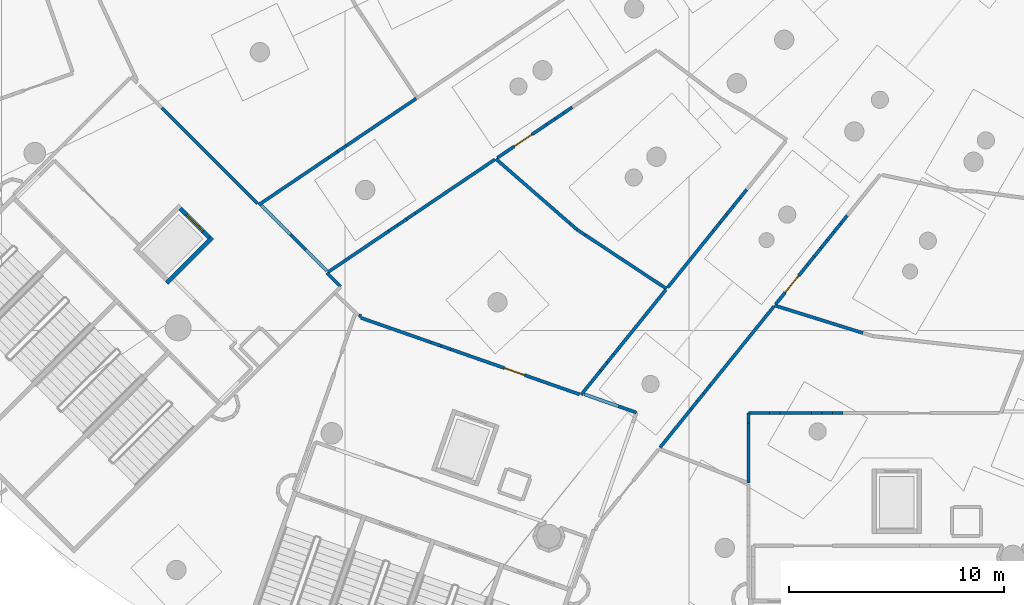
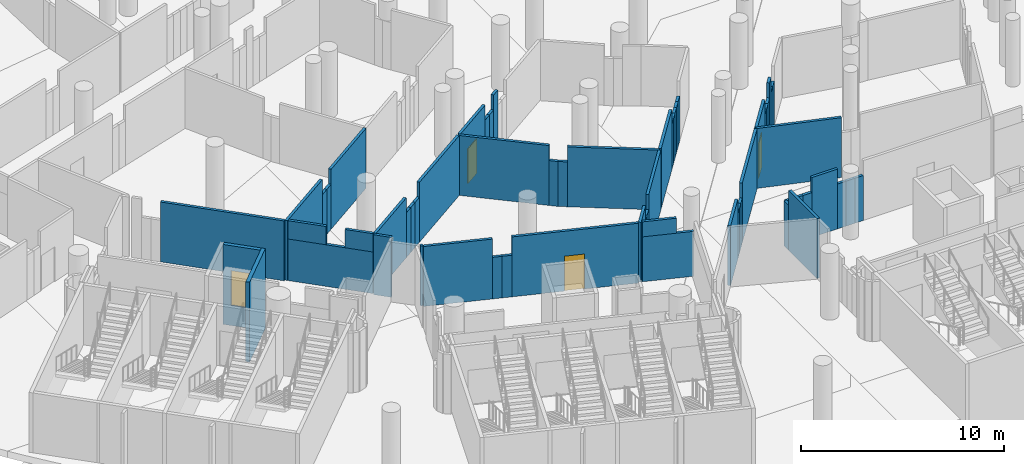
# One storey, part 41 of 142: 62 walls, 4 doors, 4 openings.
"""IFC4 building model written with IfcOpenShell, lengths in metres."""

from ifc_helpers import new_model, si_unit, direction, frame, frame_2d, origin, place, context, subcontext, project, spatial, rectangle, extrude, material, layer, layer_set, type_object, element, fill, save


model = new_model("IFC4")

# Units and contexts
model_context = context("Model", 3, precision=1e-05, world=origin(), true_north=direction((0.0, 1.0)))
body_context = subcontext(model_context, "Body", "Model", "MODEL_VIEW")
ifc_project = project(units=[si_unit("LENGTHUNIT", "METRE"), si_unit("AREAUNIT", "SQUARE_METRE"), si_unit("VOLUMEUNIT", "CUBIC_METRE"), si_unit("PLANEANGLEUNIT", "RADIAN"), si_unit("MASSUNIT", "GRAM", prefix="KILO")], contexts=[model_context])

# Site, building, storey
site_placement = place(None, origin())
site = spatial("IfcSite", under=ifc_project, at=site_placement, CompositionType="ELEMENT")
building_placement = place(site_placement, origin())
building = spatial("IfcBuilding", under=site, at=building_placement, Name="Meseta Stadium", CompositionType="ELEMENT")
storey_placement = place(building_placement, frame((0.0, 0.0, -4.0)))
storey = spatial("IfcBuildingStorey", under=building, at=storey_placement, Name="B1", CompositionType="ELEMENT", Elevation=-4.0)

# Wall
ifc_material_1 = material(Name="Concrete C40/50", Category="concrete")
ifc_layer_1 = layer(ifc_material_1, 0.199951171875)
ifc_layer_set_1 = layer_set([ifc_layer_1], Name="Core shaft wall 200")
wall_type_1 = type_object("IfcWallType", Name="Core shaft wall 200", PredefinedType="SHEAR", material=ifc_layer_set_1)
wall_1_placement = place(storey_placement, frame((-72.311767578125, -77.796875, -1.199951171875), z_axis=(0.0, 0.0, 1.0), x_axis=(0.707106781187, 0.707106781187, 0.0)))
element("IfcWall", 1, at=wall_1_placement, inside=storey, type_object=wall_type_1, Name="Core 21 B1 lift shaft wall right", PredefinedType="SHEAR", context=body_context, shape_type="SweptSolid", body=[
    extrude(rectangle(XDim=3.0, YDim=0.199951171875, at=frame_2d((1.5, 0.0))), origin(), (0.0, 0.0, 1.0), 4.800048828125),
])

# Wall, opening, door
wall_2_placement = place(storey_placement, frame((-71.675537109375, -74.331787109375, -1.199951171875), z_axis=(0.0, 0.0, 1.0), x_axis=(0.707106781187, -0.707106781187, 0.0)))
wall_2 = element("IfcWall", 2, at=wall_2_placement, inside=storey, type_object=wall_type_1, Name="Core 21 B1 lift shaft front wall", PredefinedType="SHEAR", context=body_context, shape_type="SweptSolid", body=[
    extrude(rectangle(XDim=1.900390625, YDim=0.199951171875, at=frame_2d((0.9501953125, 0.0))), origin(), (0.0, 0.0, 1.0), 4.800048828125),
])
opening_1_placement = place(wall_2_placement, frame((0.39990234375, 0.0, 1.199951171875)))
opening_1 = element("IfcOpeningElement", 3, at=opening_1_placement, cuts=wall_2, Name="Opening LD115", PredefinedType="OPENING", context=body_context, shape_type="SweptSolid", body=[
    extrude(rectangle(XDim=1.10009765625, YDim=2.10009765625, at=frame_2d((0.550048828125, 1.050048828125))), frame((0.0, 0.10986328125, 0.0), z_axis=(0.0, -1.0, 0.0), x_axis=(1.0, 0.0, 0.0)), (0.0, 0.0, 1.0), 0.219970703125),
])
ifc_material_2 = material(Name="Steel", Category="steel")
door_type_1 = type_object("IfcDoorType", Name="Lift landing door 1100x2100", OperationType="SLIDING_TO_LEFT", PredefinedType="DOOR", material=ifc_material_2)
door_1_placement = place(opening_1_placement, origin())
door_1 = element("IfcDoor", 4, at=door_1_placement, inside=storey, type_object=door_type_1, Name="Lift landing door LD115", OperationType="SLIDING_TO_LEFT", OverallHeight=2.10009765625, OverallWidth=1.10009765625, PredefinedType="DOOR", context=body_context, shape_type="SweptSolid", body=[
    extrude(rectangle(XDim=1.10009765625, YDim=2.10009765625, at=frame_2d((0.550048828125, 1.050048828125))), frame((0.0, 0.02490234375, 0.0), z_axis=(0.0, -1.0, 0.0), x_axis=(1.0, 0.0, 0.0)), (0.0, 0.0, 1.0), 0.050048828125),
])
fill(opening_1, door_1)

# Walls
ifc_material_3 = material(Name="Masonry blockwork", Category="masonry")
ifc_layer_2 = layer(ifc_material_3, 0.14990234375)
ifc_layer_set_2 = layer_set([ifc_layer_2], Name="Partition 150")
wall_type_2 = type_object("IfcWallType", Name="Partition 150", PredefinedType="PARTITIONING", material=ifc_layer_set_2)
wall_3_placement = place(storey_placement, frame((-60.6962890625, -69.21435546875, 0.0), z_axis=(0.0, 0.0, 1.0), x_axis=(-0.828825631308, -0.559506990919, 0.0)))
element("IfcWall", 5, at=wall_3_placement, inside=storey, type_object=wall_type_2, Name="Partition B1 B1-cell19-2-0", PredefinedType="PARTITIONING", context=body_context, shape_type="SweptSolid", body=[
    extrude(rectangle(XDim=3.9306640625, YDim=0.14990234375, at=frame_2d((1.96533203125, 0.0))), origin(), (0.0, 0.0, 1.0), 3.60009765625),
])
for number, where, z_axis, x_axis, name in (
    (6, (-63.9541015625, -71.41357421875, 0.0), (0.0, 0.0, 1.0), (-0.828825631308, -0.559506990919, 0.0), "Partition B1 B1-cell19-2-0"),
    (7, (-64.361328125, -71.6884765625, 0.0), (0.0, 0.0, 1.0), (-0.828825631308, -0.559506990919, 0.0), "Partition B1 B1-cell19-2-0"),
):
    element("IfcWall", number, at=place(storey_placement, frame(where, z_axis=z_axis, x_axis=x_axis)), inside=storey, type_object=wall_type_2, Name=name, PredefinedType="PARTITIONING", context=body_context, shape_type="SweptSolid", body=[
        extrude(rectangle(XDim=0.4912109375, YDim=0.14990234375, at=frame_2d((0.24560546875, 0.0))), origin(), (0.0, 0.0, 1.0), 2.699951171875),
    ])
wall_4_placement = place(storey_placement, frame((-64.7685546875, -71.96337890625, 0.0), z_axis=(0.0, 0.0, 1.0), x_axis=(-0.828825631308, -0.559506990919, 0.0)))
element("IfcWall", 8, at=wall_4_placement, inside=storey, type_object=wall_type_2, Name="Partition B1 B1-cell19-2-0", PredefinedType="PARTITIONING", context=body_context, shape_type="SweptSolid", body=[
    extrude(rectangle(XDim=3.9306640625, YDim=0.14990234375, at=frame_2d((1.96533203125, 0.0))), origin(), (0.0, 0.0, 1.0), 3.60009765625),
])
wall_5_placement = place(storey_placement, frame((-68.080322265625, -74.108642578125, 0.0), z_axis=(0.0, 0.0, 1.0), x_axis=(-0.70712613939, 0.707087422453, 0.0)))
element("IfcWall", 9, at=wall_5_placement, inside=storey, type_object=wall_type_2, Name="Partition B1 B1-cell19-2-0", PredefinedType="PARTITIONING", context=body_context, shape_type="SweptSolid", body=[
    extrude(rectangle(XDim=6.3056640625, YDim=0.14990234375, at=frame_2d((3.15283203125, 0.0))), origin(), (0.0, 0.0, 1.0), 3.60009765625),
])
wall_6_placement = place(storey_placement, frame((-49.044677734375, -78.07080078125, 0.0), z_axis=(0.0, 0.0, 1.0), x_axis=(-0.8339449215, 0.551847685421, 0.0)))
element("IfcWall", 10, at=wall_6_placement, inside=storey, type_object=wall_type_2, Name="Partition B1 B1-cell20-1-0", PredefinedType="PARTITIONING", context=body_context, shape_type="SweptSolid", body=[
    extrude(rectangle(XDim=4.5478515625, YDim=0.14990234375, at=frame_2d((2.27392578125, 0.0))), origin(), (0.0, 0.0, 1.0), 3.60009765625),
])
for number, where, z_axis, x_axis, name in (
    (11, (-52.83740234375, -75.56103515625, 0.0), (0.0, 0.0, 1.0), (-0.83402663405, 0.551724182627, 0.0), "Partition B1 B1-cell20-1-0"),
    (12, (-53.216796875, -75.31005859375, 0.0), (0.0, 0.0, 1.0), (-0.754004426254, 0.656869336466, 0.0), "Partition B1 B1-cell20-1-0"),
):
    element("IfcWall", number, at=place(storey_placement, frame(where, z_axis=z_axis, x_axis=x_axis)), inside=storey, type_object=wall_type_2, Name=name, PredefinedType="PARTITIONING", context=body_context, shape_type="SweptSolid", body=[
        extrude(rectangle(XDim=0.454833984375, YDim=0.14990234375, at=frame_2d((0.2275390625, 0.0))), origin(), (0.0, 0.0, 1.0), 2.699951171875),
    ])
wall_7_placement = place(storey_placement, frame((-53.559814453125, -75.01123046875, 0.0), z_axis=(0.0, 0.0, 1.0), x_axis=(-0.753891280965, 0.656999190627, 0.0)))
element("IfcWall", 13, at=wall_7_placement, inside=storey, type_object=wall_type_2, Name="Partition B1 B1-cell20-1-0", PredefinedType="PARTITIONING", context=body_context, shape_type="SweptSolid", body=[
    extrude(rectangle(XDim=4.550537109375, YDim=0.14990234375, at=frame_2d((2.275390625, 0.0))), origin(), (0.0, 0.0, 1.0), 3.60009765625),
])

# Wall, opening, door
wall_8_placement = place(storey_placement, frame((-56.92626953125, -71.97802734375, 0.0), z_axis=(0.0, 0.0, 1.0), x_axis=(0.828833397724, 0.559495485967, 0.0)))
wall_8 = element("IfcWall", 14, at=wall_8_placement, inside=storey, type_object=wall_type_2, Name="Partition B1 B1-cell20-1-0", PredefinedType="PARTITIONING", context=body_context, shape_type="SweptSolid", body=[
    extrude(rectangle(XDim=2.779052734375, YDim=0.14990234375, at=frame_2d((1.3896484375, 0.0))), origin(), (0.0, 0.0, 1.0), 3.60009765625),
])
opening_2_placement = place(wall_8_placement, frame((0.949951171875, 0.0, 0.0)))
opening_2 = element("IfcOpeningElement", 15, at=opening_2_placement, cuts=wall_8, Name="Opening D491", PredefinedType="OPENING", context=body_context, shape_type="SweptSolid", body=[
    extrude(rectangle(XDim=1.0, YDim=2.10009765625, at=frame_2d((0.5, 1.050048828125))), frame((0.0, 0.0849609375, 0.0), z_axis=(0.0, -1.0, 0.0), x_axis=(1.0, 0.0, 0.0)), (0.0, 0.0, 1.0), 0.169921875),
])
ifc_material_4 = material(Name="Steel", Category="steel")
door_type_2 = type_object("IfcDoorType", Name="Fire door 1000x2100 EI2 60", OperationType="NOTDEFINED", PredefinedType="DOOR", material=ifc_material_4)
door_2_placement = place(opening_2_placement, origin())
door_2 = element("IfcDoor", 16, at=door_2_placement, inside=storey, type_object=door_type_2, Name="Door D491", OperationType="SINGLE_SWING_LEFT", OverallHeight=2.10009765625, OverallWidth=1.0, PredefinedType="DOOR", context=body_context, shape_type="SweptSolid", body=[
    extrude(rectangle(XDim=1.0, YDim=2.10009765625, at=frame_2d((0.5, 1.050048828125))), frame((0.0, 0.02490234375, 0.0), z_axis=(0.0, -1.0, 0.0), x_axis=(1.0, 0.0, 0.0)), (0.0, 0.0, 1.0), 0.050048828125),
])
fill(opening_2, door_2)

# Walls
wall_9_placement = place(storey_placement, frame((-54.622802734375, -70.423095703125, 0.0), z_axis=(0.0, 0.0, 1.0), x_axis=(0.828801105453, 0.559543320575, 0.0)))
element("IfcWall", 17, at=wall_9_placement, inside=storey, type_object=wall_type_2, Name="Partition B1 B1-cell20-1-0", PredefinedType="PARTITIONING", context=body_context, shape_type="SweptSolid", body=[
    extrude(rectangle(XDim=0.47607421875, YDim=0.14990234375, at=frame_2d((0.238037109375, 0.0))), origin(), (0.0, 0.0, 1.0), 2.699951171875),
])
wall_10_placement = place(storey_placement, frame((-54.228271484375, -70.15673828125, 0.0), z_axis=(0.0, 0.0, 1.0), x_axis=(0.828961577554, 0.559305554182, 0.0)))
element("IfcWall", 18, at=wall_10_placement, inside=storey, type_object=wall_type_2, Name="Partition B1 B1-cell20-1-0", PredefinedType="PARTITIONING", context=body_context, shape_type="SweptSolid", body=[
    extrude(rectangle(XDim=0.476318359375, YDim=0.14990234375, at=frame_2d((0.23828125, 0.0))), origin(), (0.0, 0.0, 1.0), 2.699951171875),
])
wall_11_placement = place(storey_placement, frame((-53.83349609375, -69.890380859375, 0.0), z_axis=(0.0, 0.0, 1.0), x_axis=(0.828563254438, 0.559895466489, 0.0)))
element("IfcWall", 19, at=wall_11_placement, inside=storey, type_object=wall_type_2, Name="Partition B1 B1-cell20-1-0", PredefinedType="PARTITIONING", context=body_context, shape_type="SweptSolid", body=[
    extrude(rectangle(XDim=0.47607421875, YDim=0.14990234375, at=frame_2d((0.238037109375, 0.0))), origin(), (0.0, 0.0, 1.0), 3.60009765625),
])
for number, where, z_axis, x_axis, name in (
    (20, (-45.314208984375, -73.448486328125, 0.0), (0.0, 0.0, 1.0), (-0.627877771186, -0.778311958312, 0.0), "Partition B1 B1-cell20-1-0"),
    (21, (-45.625, -73.833740234375, 0.0), (0.0, 0.0, 1.0), (-0.627877771186, -0.778311958312, 0.0), "Partition B1 B1-cell20-1-0"),
    (22, (-45.935791015625, -74.218994140625, 0.0), (0.0, 0.0, 1.0), (-0.628417474303, -0.777876261362, 0.0), "Partition B1 B1-cell20-1-0"),
    (23, (-46.246826171875, -74.60400390625, 0.0), (0.0, 0.0, 1.0), (-0.627877771186, -0.778311958312, 0.0), "Partition B1 B1-cell20-1-0"),
):
    element("IfcWall", number, at=place(storey_placement, frame(where, z_axis=z_axis, x_axis=x_axis)), inside=storey, type_object=wall_type_2, Name=name, PredefinedType="PARTITIONING", context=body_context, shape_type="SweptSolid", body=[
        extrude(rectangle(XDim=0.494873046875, YDim=0.14990234375, at=frame_2d((0.24755859375, 0.0))), origin(), (0.0, 0.0, 1.0), 2.699951171875),
    ])
wall_12_placement = place(storey_placement, frame((-46.5576171875, -74.9892578125, 0.0), z_axis=(0.0, 0.0, 1.0), x_axis=(-0.628176414208, -0.778070943187, 0.0)))
element("IfcWall", 24, at=wall_12_placement, inside=storey, type_object=wall_type_2, Name="Partition B1 B1-cell20-1-0", PredefinedType="PARTITIONING", context=body_context, shape_type="SweptSolid", body=[
    extrude(rectangle(XDim=0.4951171875, YDim=0.14990234375, at=frame_2d((0.24755859375, 0.0))), origin(), (0.0, 0.0, 1.0), 2.699951171875),
])
wall_13_placement = place(storey_placement, frame((-46.86865234375, -75.37451171875, 0.0), z_axis=(0.0, 0.0, 1.0), x_axis=(-0.628018502996, -0.77819840651, 0.0)))
element("IfcWall", 25, at=wall_13_placement, inside=storey, type_object=wall_type_2, Name="Partition B1 B1-cell20-1-0", PredefinedType="PARTITIONING", context=body_context, shape_type="SweptSolid", body=[
    extrude(rectangle(XDim=3.389404296875, YDim=0.14990234375, at=frame_2d((1.69482421875, 0.0))), origin(), (0.0, 0.0, 1.0), 3.60009765625),
])
wall_14_placement = place(storey_placement, frame((-49.076416015625, -78.110107421875, 0.0), z_axis=(0.0, 0.0, 1.0), x_axis=(-0.62801256648, -0.778203197335, 0.0)))
element("IfcWall", 26, at=wall_14_placement, inside=storey, type_object=wall_type_2, Name="Partition B1 B1-cell20-2-0", PredefinedType="PARTITIONING", context=body_context, shape_type="SweptSolid", body=[
    extrude(rectangle(XDim=3.870361328125, YDim=0.14990234375, at=frame_2d((1.93505859375, 0.0))), origin(), (0.0, 0.0, 1.0), 3.60009765625),
])
wall_15_placement = place(storey_placement, frame((-51.507080078125, -81.1220703125, 0.0), z_axis=(0.0, 0.0, 1.0), x_axis=(-0.628196159022, -0.778055001777, 0.0)))
element("IfcWall", 27, at=wall_15_placement, inside=storey, type_object=wall_type_2, Name="Partition B1 B1-cell20-2-0", PredefinedType="PARTITIONING", context=body_context, shape_type="SweptSolid", body=[
    extrude(rectangle(XDim=0.48388671875, YDim=0.14990234375, at=frame_2d((0.241943359375, 0.0))), origin(), (0.0, 0.0, 1.0), 2.699951171875),
])
wall_16_placement = place(storey_placement, frame((-51.81103515625, -81.49853515625, 0.0), z_axis=(0.0, 0.0, 1.0), x_axis=(-0.627949602463, -0.778254005301, 0.0)))
element("IfcWall", 28, at=wall_16_placement, inside=storey, type_object=wall_type_2, Name="Partition B1 B1-cell20-2-0", PredefinedType="PARTITIONING", context=body_context, shape_type="SweptSolid", body=[
    extrude(rectangle(XDim=0.484130859375, YDim=0.14990234375, at=frame_2d((0.2421875, 0.0))), origin(), (0.0, 0.0, 1.0), 2.699951171875),
])
wall_17_placement = place(storey_placement, frame((-52.114990234375, -81.875244140625, 0.0), z_axis=(0.0, 0.0, 1.0), x_axis=(-0.628094324718, -0.778137211073, 0.0)))
element("IfcWall", 29, at=wall_17_placement, inside=storey, type_object=wall_type_2, Name="Partition B1 B1-cell20-2-0", PredefinedType="PARTITIONING", context=body_context, shape_type="SweptSolid", body=[
    extrude(rectangle(XDim=1.451416015625, YDim=0.14990234375, at=frame_2d((0.7255859375, 0.0))), origin(), (0.0, 0.0, 1.0), 3.60009765625),
])

# Wall, opening, door
wall_18_placement = place(storey_placement, frame((-53.101806640625, -82.978515625, 0.0), z_axis=(0.0, 0.0, 1.0), x_axis=(-0.943872187269, 0.33031090521, 0.0)))
wall_18 = element("IfcWall", 30, at=wall_18_placement, inside=storey, type_object=wall_type_2, Name="Partition B1 B1-cell20-2-0", PredefinedType="PARTITIONING", context=body_context, shape_type="SweptSolid", body=[
    extrude(rectangle(XDim=6.3291015625, YDim=0.14990234375, at=frame_2d((3.16455078125, 0.0))), origin(), (0.0, 0.0, 1.0), 3.60009765625),
])
opening_3_placement = place(wall_18_placement, frame((2.699951171875, 0.0, 0.0)))
opening_3 = element("IfcOpeningElement", 31, at=opening_3_placement, cuts=wall_18, Name="Opening D492", PredefinedType="OPENING", context=body_context, shape_type="SweptSolid", body=[
    extrude(rectangle(XDim=1.0, YDim=2.10009765625, at=frame_2d((0.5, 1.050048828125))), frame((0.0, 0.0849609375, 0.0), z_axis=(0.0, -1.0, 0.0), x_axis=(1.0, 0.0, 0.0)), (0.0, 0.0, 1.0), 0.169921875),
])
ifc_material_5 = material(Name="Steel", Category="steel")
door_type_3 = type_object("IfcDoorType", Name="Fire door 1000x2100 EI2 120", OperationType="NOTDEFINED", PredefinedType="DOOR", material=ifc_material_5)
door_3_placement = place(opening_3_placement, origin())
door_3 = element("IfcDoor", 32, at=door_3_placement, inside=storey, type_object=door_type_3, Name="Door D492", OperationType="SINGLE_SWING_LEFT", OverallHeight=2.10009765625, OverallWidth=1.0, PredefinedType="DOOR", context=body_context, shape_type="SweptSolid", body=[
    extrude(rectangle(XDim=1.0, YDim=2.10009765625, at=frame_2d((0.5, 1.050048828125))), frame((0.0, 0.02490234375, 0.0), z_axis=(0.0, -1.0, 0.0), x_axis=(1.0, 0.0, 0.0)), (0.0, 0.0, 1.0), 0.050048828125),
])
fill(opening_3, door_3)

# Walls
for number, where, z_axis, x_axis, name in (
    (33, (-59.07568359375, -80.887939453125, 0.0), (0.0, 0.0, 1.0), (-0.943873796239, 0.330306307498, 0.0), "Partition B1 B1-cell20-2-0"),
    (34, (-59.541015625, -80.72509765625, 0.0), (0.0, 0.0, 1.0), (-0.944028109285, 0.329865016151, 0.0), "Partition B1 B1-cell20-2-0"),
):
    element("IfcWall", number, at=place(storey_placement, frame(where, z_axis=z_axis, x_axis=x_axis)), inside=storey, type_object=wall_type_2, Name=name, PredefinedType="PARTITIONING", context=body_context, shape_type="SweptSolid", body=[
        extrude(rectangle(XDim=0.492919921875, YDim=0.14990234375, at=frame_2d((0.24658203125, 0.0))), origin(), (0.0, 0.0, 1.0), 2.5),
    ])
wall_19_placement = place(storey_placement, frame((-60.00634765625, -80.5625, 0.0), z_axis=(0.0, 0.0, 1.0), x_axis=(-0.943866077076, 0.33032836473, 0.0)))
element("IfcWall", 35, at=wall_19_placement, inside=storey, type_object=wall_type_2, Name="Partition B1 B1-cell20-2-0", PredefinedType="PARTITIONING", context=body_context, shape_type="SweptSolid", body=[
    extrude(rectangle(XDim=3.45068359375, YDim=0.14990234375, at=frame_2d((1.725341796875, 0.0))), origin(), (0.0, 0.0, 1.0), 3.60009765625),
])
wall_20_placement = place(storey_placement, frame((-64.215576171875, -77.973388671875, 0.0), z_axis=(0.0, 0.0, 1.0), x_axis=(-0.707106781187, 0.707106781187, 0.0)))
element("IfcWall", 36, at=wall_20_placement, inside=storey, type_object=wall_type_2, Name="Partition B1 B1-cell20-2-0", PredefinedType="PARTITIONING", context=body_context, shape_type="SweptSolid", body=[
    extrude(rectangle(XDim=0.907470703125, YDim=0.14990234375, at=frame_2d((0.45361328125, 0.0))), origin(), (0.0, 0.0, 1.0), 3.60009765625),
])
wall_21_placement = place(storey_placement, frame((-64.793701171875, -77.2890625, 0.0), z_axis=(0.0, 0.0, 1.0), x_axis=(0.828834529993, 0.559493808626, 0.0)))
element("IfcWall", 37, at=wall_21_placement, inside=storey, type_object=wall_type_2, Name="Partition B1 B1-cell20-2-0", PredefinedType="PARTITIONING", context=body_context, shape_type="SweptSolid", body=[
    extrude(rectangle(XDim=3.40185546875, YDim=0.14990234375, at=frame_2d((1.700927734375, 0.0))), origin(), (0.0, 0.0, 1.0), 3.60009765625),
])
wall_22_placement = place(storey_placement, frame((-61.97412109375, -75.3857421875, 0.0), z_axis=(0.0, 0.0, 1.0), x_axis=(0.828632099968, 0.559793571687, 0.0)))
element("IfcWall", 38, at=wall_22_placement, inside=storey, type_object=wall_type_2, Name="Partition B1 B1-cell20-2-0", PredefinedType="PARTITIONING", context=body_context, shape_type="SweptSolid", body=[
    extrude(rectangle(XDim=0.496826171875, YDim=0.14990234375, at=frame_2d((0.24853515625, 0.0))), origin(), (0.0, 0.0, 1.0), 2.699951171875),
])
wall_23_placement = place(storey_placement, frame((-61.5625, -75.107666015625, 0.0), z_axis=(0.0, 0.0, 1.0), x_axis=(0.828939751849, 0.559337901277, 0.0)))
element("IfcWall", 39, at=wall_23_placement, inside=storey, type_object=wall_type_2, Name="Partition B1 B1-cell20-2-0", PredefinedType="PARTITIONING", context=body_context, shape_type="SweptSolid", body=[
    extrude(rectangle(XDim=0.4970703125, YDim=0.14990234375, at=frame_2d((0.24853515625, 0.0))), origin(), (0.0, 0.0, 1.0), 2.699951171875),
])
wall_24_placement = place(storey_placement, frame((-61.150390625, -74.82958984375, 0.0), z_axis=(0.0, 0.0, 1.0), x_axis=(0.828632099968, 0.559793571687, 0.0)))
element("IfcWall", 40, at=wall_24_placement, inside=storey, type_object=wall_type_2, Name="Partition B1 B1-cell20-2-0", PredefinedType="PARTITIONING", context=body_context, shape_type="SweptSolid", body=[
    extrude(rectangle(XDim=0.496826171875, YDim=0.14990234375, at=frame_2d((0.24853515625, 0.0))), origin(), (0.0, 0.0, 1.0), 2.699951171875),
])
wall_25_placement = place(storey_placement, frame((-60.73876953125, -74.551513671875, 0.0), z_axis=(0.0, 0.0, 1.0), x_axis=(0.8288366496, 0.559490668626, 0.0)))
element("IfcWall", 41, at=wall_25_placement, inside=storey, type_object=wall_type_2, Name="Partition B1 B1-cell20-2-0", PredefinedType="PARTITIONING", context=body_context, shape_type="SweptSolid", body=[
    extrude(rectangle(XDim=4.47216796875, YDim=0.14990234375, at=frame_2d((2.236083984375, 0.0))), origin(), (0.0, 0.0, 1.0), 3.60009765625),
])
wall_26_placement = place(storey_placement, frame((-39.906982421875, -80.12744140625, 0.0), z_axis=(0.0, 0.0, 1.0), x_axis=(-0.954509247754, 0.29818131389, 0.0)))
element("IfcWall", 42, at=wall_26_placement, inside=storey, type_object=wall_type_2, Name="Partition B1 B1-cell21-1-0", PredefinedType="PARTITIONING", context=body_context, shape_type="SweptSolid", body=[
    extrude(rectangle(XDim=4.303466796875, YDim=0.14990234375, at=frame_2d((2.15185546875, 0.0))), origin(), (0.0, 0.0, 1.0), 3.60009765625),
])

# Wall, opening, door
wall_27_placement = place(storey_placement, frame((-43.964111328125, -78.781494140625, 0.0), z_axis=(0.0, 0.0, 1.0), x_axis=(0.628039015817, 0.77818185189, 0.0)))
wall_27 = element("IfcWall", 43, at=wall_27_placement, inside=storey, type_object=wall_type_2, Name="Partition B1 B1-cell21-1-0", PredefinedType="PARTITIONING", context=body_context, shape_type="SweptSolid", body=[
    extrude(rectangle(XDim=2.3642578125, YDim=0.14990234375, at=frame_2d((1.18212890625, 0.0))), origin(), (0.0, 0.0, 1.0), 3.60009765625),
])
opening_4_placement = place(wall_27_placement, frame((0.699951171875, 0.0, 0.0)))
opening_4 = element("IfcOpeningElement", 44, at=opening_4_placement, cuts=wall_27, Name="Opening D494", PredefinedType="OPENING", context=body_context, shape_type="SweptSolid", body=[
    extrude(rectangle(XDim=1.0, YDim=2.10009765625, at=frame_2d((0.5, 1.050048828125))), frame((0.0, 0.0849609375, 0.0), z_axis=(0.0, -1.0, 0.0), x_axis=(1.0, 0.0, 0.0)), (0.0, 0.0, 1.0), 0.169921875),
])
door_4_placement = place(opening_4_placement, origin())
door_4 = element("IfcDoor", 45, at=door_4_placement, inside=storey, type_object=door_type_2, Name="Door D494", OperationType="SINGLE_SWING_RIGHT", OverallHeight=2.10009765625, OverallWidth=1.0, PredefinedType="DOOR", context=body_context, shape_type="SweptSolid", body=[
    extrude(rectangle(XDim=1.0, YDim=2.10009765625, at=frame_2d((0.5, 1.050048828125))), frame((0.0, 0.02490234375, 0.0), z_axis=(0.0, -1.0, 0.0), x_axis=(1.0, 0.0, 0.0)), (0.0, 0.0, 1.0), 0.050048828125),
])
fill(opening_4, door_4)

# Walls
wall_28_placement = place(storey_placement, frame((-42.479248046875, -76.941650390625, 0.0), z_axis=(0.0, 0.0, 1.0), x_axis=(0.628220861068, 0.778035056871, 0.0)))
element("IfcWall", 46, at=wall_28_placement, inside=storey, type_object=wall_type_2, Name="Partition B1 B1-cell21-1-0", PredefinedType="PARTITIONING", context=body_context, shape_type="SweptSolid", body=[
    extrude(rectangle(XDim=0.48876953125, YDim=0.14990234375, at=frame_2d((0.244384765625, 0.0))), origin(), (0.0, 0.0, 1.0), 2.699951171875),
])
wall_29_placement = place(storey_placement, frame((-42.172119140625, -76.561279296875, 0.0), z_axis=(0.0, 0.0, 1.0), x_axis=(0.627976838784, 0.77823202835, 0.0)))
element("IfcWall", 47, at=wall_29_placement, inside=storey, type_object=wall_type_2, Name="Partition B1 B1-cell21-1-0", PredefinedType="PARTITIONING", context=body_context, shape_type="SweptSolid", body=[
    extrude(rectangle(XDim=0.489013671875, YDim=0.14990234375, at=frame_2d((0.24462890625, 0.0))), origin(), (0.0, 0.0, 1.0), 2.699951171875),
])
wall_30_placement = place(storey_placement, frame((-41.864990234375, -76.1806640625, 0.0), z_axis=(0.0, 0.0, 1.0), x_axis=(0.628220861068, 0.778035056871, 0.0)))
element("IfcWall", 48, at=wall_30_placement, inside=storey, type_object=wall_type_2, Name="Partition B1 B1-cell21-1-0", PredefinedType="PARTITIONING", context=body_context, shape_type="SweptSolid", body=[
    extrude(rectangle(XDim=0.48876953125, YDim=0.14990234375, at=frame_2d((0.244384765625, 0.0))), origin(), (0.0, 0.0, 1.0), 2.699951171875),
])
wall_31_placement = place(storey_placement, frame((-41.557861328125, -75.80029296875, 0.0), z_axis=(0.0, 0.0, 1.0), x_axis=(0.627976838784, 0.77823202835, 0.0)))
element("IfcWall", 49, at=wall_31_placement, inside=storey, type_object=wall_type_2, Name="Partition B1 B1-cell21-1-0", PredefinedType="PARTITIONING", context=body_context, shape_type="SweptSolid", body=[
    extrude(rectangle(XDim=0.489013671875, YDim=0.14990234375, at=frame_2d((0.24462890625, 0.0))), origin(), (0.0, 0.0, 1.0), 3.60009765625),
])
wall_32_placement = place(storey_placement, frame((-41.250732421875, -75.419677734375, 0.0), z_axis=(0.0, 0.0, 1.0), x_axis=(0.627918424416, 0.778279160892, 0.0)))
element("IfcWall", 50, at=wall_32_placement, inside=storey, type_object=wall_type_2, Name="Partition B1 B1-cell21-1-0", PredefinedType="PARTITIONING", context=body_context, shape_type="SweptSolid", body=[
    extrude(rectangle(XDim=0.48876953125, YDim=0.14990234375, at=frame_2d((0.244384765625, 0.0))), origin(), (0.0, 0.0, 1.0), 2.699951171875),
])
wall_33_placement = place(storey_placement, frame((-40.94384765625, -75.039306640625, 0.0), z_axis=(0.0, 0.0, 1.0), x_axis=(0.627976838784, 0.77823202835, 0.0)))
element("IfcWall", 51, at=wall_33_placement, inside=storey, type_object=wall_type_2, Name="Partition B1 B1-cell21-1-0", PredefinedType="PARTITIONING", context=body_context, shape_type="SweptSolid", body=[
    extrude(rectangle(XDim=0.489013671875, YDim=0.14990234375, at=frame_2d((0.24462890625, 0.0))), origin(), (0.0, 0.0, 1.0), 2.699951171875),
])
wall_34_placement = place(storey_placement, frame((-40.832763671875, -83.85107421875, 0.0), z_axis=(0.0, 0.0, 1.0), x_axis=(-1.0, 0.0, 0.0)))
element("IfcWall", 52, at=wall_34_placement, inside=storey, type_object=wall_type_2, Name="Partition B1 B1-cell21-2-0", PredefinedType="PARTITIONING", context=body_context, shape_type="SweptSolid", body=[
    extrude(rectangle(XDim=0.48876953125, YDim=0.14990234375, at=frame_2d((0.244384765625, 0.0))), origin(), (0.0, 0.0, 1.0), 2.699951171875),
])
for number, where, z_axis, x_axis, name in (
    (53, (-41.321533203125, -83.85107421875, 0.0), (0.0, 0.0, 1.0), (-1.0, 0.0, 0.0), "Partition B1 B1-cell21-2-0"),
    (54, (-41.810546875, -83.85107421875, 0.0), (0.0, 0.0, 1.0), (-1.0, 0.0, 0.0), "Partition B1 B1-cell21-2-0"),
):
    element("IfcWall", number, at=place(storey_placement, frame(where, z_axis=z_axis, x_axis=x_axis)), inside=storey, type_object=wall_type_2, Name=name, PredefinedType="PARTITIONING", context=body_context, shape_type="SweptSolid", body=[
        extrude(rectangle(XDim=0.489013671875, YDim=0.14990234375, at=frame_2d((0.24462890625, 0.0))), origin(), (0.0, 0.0, 1.0), 2.699951171875),
    ])
wall_35_placement = place(storey_placement, frame((-42.299560546875, -83.85107421875, 0.0), z_axis=(0.0, 0.0, 1.0), x_axis=(-1.0, 0.0, 0.0)))
element("IfcWall", 55, at=wall_35_placement, inside=storey, type_object=wall_type_2, Name="Partition B1 B1-cell21-2-0", PredefinedType="PARTITIONING", context=body_context, shape_type="SweptSolid", body=[
    extrude(rectangle(XDim=1.467041015625, YDim=0.14990234375, at=frame_2d((0.7333984375, 0.0))), origin(), (0.0, 0.0, 1.0), 3.60009765625),
])
wall_36_placement = place(storey_placement, frame((-43.7666015625, -83.85107421875, 0.0), z_axis=(0.0, 0.0, 1.0), x_axis=(-1.0, 0.0, 0.0)))
element("IfcWall", 56, at=wall_36_placement, inside=storey, type_object=wall_type_2, Name="Partition B1 B1-cell21-2-0", PredefinedType="PARTITIONING", context=body_context, shape_type="SweptSolid", body=[
    extrude(rectangle(XDim=0.48876953125, YDim=0.14990234375, at=frame_2d((0.244384765625, 0.0))), origin(), (0.0, 0.0, 1.0), 2.699951171875),
])
wall_37_placement = place(storey_placement, frame((-44.25537109375, -83.85107421875, 0.0), z_axis=(0.0, 0.0, 1.0), x_axis=(-1.0, 0.0, 0.0)))
element("IfcWall", 57, at=wall_37_placement, inside=storey, type_object=wall_type_2, Name="Partition B1 B1-cell21-2-0", PredefinedType="PARTITIONING", context=body_context, shape_type="SweptSolid", body=[
    extrude(rectangle(XDim=0.97802734375, YDim=0.14990234375, at=frame_2d((0.489013671875, 0.0))), origin(), (0.0, 0.0, 1.0), 2.699951171875),
])
wall_38_placement = place(storey_placement, frame((-45.2333984375, -83.85107421875, 0.0), z_axis=(0.0, 0.0, 1.0), x_axis=(0.0, -1.0, 0.0)))
element("IfcWall", 58, at=wall_38_placement, inside=storey, type_object=wall_type_2, Name="Partition B1 B1-cell21-2-0", PredefinedType="PARTITIONING", context=body_context, shape_type="SweptSolid", body=[
    extrude(rectangle(XDim=0.466064453125, YDim=0.14990234375, at=frame_2d((0.23291015625, 0.0))), origin(), (0.0, 0.0, 1.0), 2.699951171875),
])
wall_39_placement = place(storey_placement, frame((-45.2333984375, -84.317138671875, 0.0), z_axis=(0.0, 0.0, 1.0), x_axis=(0.0, -1.0, 0.0)))
element("IfcWall", 59, at=wall_39_placement, inside=storey, type_object=wall_type_2, Name="Partition B1 B1-cell21-2-0", PredefinedType="PARTITIONING", context=body_context, shape_type="SweptSolid", body=[
    extrude(rectangle(XDim=2.796875, YDim=0.14990234375, at=frame_2d((1.3984375, 0.0))), origin(), (0.0, 0.0, 1.0), 3.60009765625),
])
wall_40_placement = place(storey_placement, frame((-49.3466796875, -85.451416015625, 0.0), z_axis=(0.0, 0.0, 1.0), x_axis=(0.627969375808, 0.778238050372, 0.0)))
element("IfcWall", 60, at=wall_40_placement, inside=storey, type_object=wall_type_2, Name="Partition B1 B1-cell21-2-0", PredefinedType="PARTITIONING", context=body_context, shape_type="SweptSolid", body=[
    extrude(rectangle(XDim=2.28759765625, YDim=0.14990234375, at=frame_2d((1.143798828125, 0.0))), origin(), (0.0, 0.0, 1.0), 3.60009765625),
])
wall_41_placement = place(storey_placement, frame((-47.91015625, -83.671142578125, 0.0), z_axis=(0.0, 0.0, 1.0), x_axis=(0.628085010229, 0.778144729421, 0.0)))
element("IfcWall", 61, at=wall_41_placement, inside=storey, type_object=wall_type_2, Name="Partition B1 B1-cell21-2-0", PredefinedType="PARTITIONING", context=body_context, shape_type="SweptSolid", body=[
    extrude(rectangle(XDim=0.473388671875, YDim=0.14990234375, at=frame_2d((0.23681640625, 0.0))), origin(), (0.0, 0.0, 1.0), 2.699951171875),
])
wall_42_placement = place(storey_placement, frame((-47.61279296875, -83.302734375, 0.0), z_axis=(0.0, 0.0, 1.0), x_axis=(0.628024750904, 0.778193364308, 0.0)))
element("IfcWall", 62, at=wall_42_placement, inside=storey, type_object=wall_type_2, Name="Partition B1 B1-cell21-2-0", PredefinedType="PARTITIONING", context=body_context, shape_type="SweptSolid", body=[
    extrude(rectangle(XDim=0.47314453125, YDim=0.14990234375, at=frame_2d((0.236572265625, 0.0))), origin(), (0.0, 0.0, 1.0), 2.699951171875),
])
wall_43_placement = place(storey_placement, frame((-47.315673828125, -82.9345703125, 0.0), z_axis=(0.0, 0.0, 1.0), x_axis=(0.628085010229, 0.778144729421, 0.0)))
element("IfcWall", 63, at=wall_43_placement, inside=storey, type_object=wall_type_2, Name="Partition B1 B1-cell21-2-0", PredefinedType="PARTITIONING", context=body_context, shape_type="SweptSolid", body=[
    extrude(rectangle(XDim=0.473388671875, YDim=0.14990234375, at=frame_2d((0.23681640625, 0.0))), origin(), (0.0, 0.0, 1.0), 2.699951171875),
])
wall_44_placement = place(storey_placement, frame((-47.018310546875, -82.566162109375, 0.0), z_axis=(0.0, 0.0, 1.0), x_axis=(0.628029681061, 0.778189385501, 0.0)))
element("IfcWall", 64, at=wall_44_placement, inside=storey, type_object=wall_type_2, Name="Partition B1 B1-cell21-2-0", PredefinedType="PARTITIONING", context=body_context, shape_type="SweptSolid", body=[
    extrude(rectangle(XDim=4.73291015625, YDim=0.14990234375, at=frame_2d((2.366455078125, 0.0))), origin(), (0.0, 0.0, 1.0), 3.60009765625),
])
wall_45_placement = place(storey_placement, frame((-64.8466796875, -77.236328125, 0.0), z_axis=(0.0, 0.0, 1.0), x_axis=(-0.707106781187, 0.707106781187, 0.0)))
element("IfcWall", 65, at=wall_45_placement, inside=storey, type_object=wall_type_2, Name="Stair vestibule wall B1 core 21", PredefinedType="PARTITIONING", context=body_context, shape_type="SweptSolid", body=[
    extrude(rectangle(XDim=4.3154296875, YDim=0.14990234375, at=frame_2d((2.15771484375, 0.0))), origin(), (0.0, 0.0, 1.0), 2.5),
])
wall_46_placement = place(storey_placement, frame((-64.8466796875, -77.236328125, 2.5), z_axis=(0.0, 0.0, 1.0), x_axis=(-0.707106781187, 0.707106781187, 0.0)))
element("IfcWall", 66, at=wall_46_placement, inside=storey, type_object=wall_type_2, Name="Stair vestibule wall B1 core 21", PredefinedType="PARTITIONING", context=body_context, shape_type="SweptSolid", body=[
    extrude(rectangle(XDim=1.411376953125, YDim=0.14990234375, at=frame_2d((0.70556640625, 0.0))), origin(), (0.0, 0.0, 1.0), 1.10009765625),
])
wall_47_placement = place(storey_placement, frame((-66.53369140625, -75.54931640625, 2.5), z_axis=(0.0, 0.0, 1.0), x_axis=(-0.707106781187, 0.707106781187, 0.0)))
element("IfcWall", 67, at=wall_47_placement, inside=storey, type_object=wall_type_2, Name="Stair vestibule wall B1 core 21", PredefinedType="PARTITIONING", context=body_context, shape_type="SweptSolid", body=[
    extrude(rectangle(XDim=1.9296875, YDim=0.14990234375, at=frame_2d((0.96484375, 0.0))), origin(), (0.0, 0.0, 1.0), 1.10009765625),
])
wall_48_placement = place(storey_placement, frame((-50.447021484375, -83.827880859375, 0.0), z_axis=(0.0, 0.0, 1.0), x_axis=(-0.943880549239, 0.330287009688, 0.0)))
element("IfcWall", 68, at=wall_48_placement, inside=storey, type_object=wall_type_2, Name="Stair vestibule wall B1 core 22", PredefinedType="PARTITIONING", context=body_context, shape_type="SweptSolid", body=[
    extrude(rectangle(XDim=2.572265625, YDim=0.14990234375, at=frame_2d((1.2861328125, 0.0))), origin(), (0.0, 0.0, 1.0), 2.699951171875),
])
wall_49_placement = place(storey_placement, frame((-51.26953125, -83.5400390625, 2.699951171875), z_axis=(0.0, 0.0, 1.0), x_axis=(-0.943885206094, 0.33027370122, 0.0)))
element("IfcWall", 69, at=wall_49_placement, inside=storey, type_object=wall_type_2, Name="Stair vestibule wall B1 core 22", PredefinedType="PARTITIONING", context=body_context, shape_type="SweptSolid", body=[
    extrude(rectangle(XDim=1.700927734375, YDim=0.14990234375, at=frame_2d((0.8505859375, 0.0))), origin(), (0.0, 0.0, 1.0), 0.900146484375),
])
wall_50_placement = place(storey_placement, frame((-63.248291015625, -79.348388671875, 0.0), z_axis=(0.0, 0.0, 1.0), x_axis=(-0.943888819052, 0.33026337561, 0.0)))
element("IfcWall", 70, at=wall_50_placement, inside=storey, type_object=wall_type_2, Name="Stair vestibule wall B1 core 22", PredefinedType="PARTITIONING", context=body_context, shape_type="SweptSolid", body=[
    extrude(rectangle(XDim=0.125, YDim=0.14990234375, at=frame_2d((0.0625, 0.0))), origin(), (0.0, 0.0, 1.0), 3.60009765625),
])

save(model, "model.ifc")
